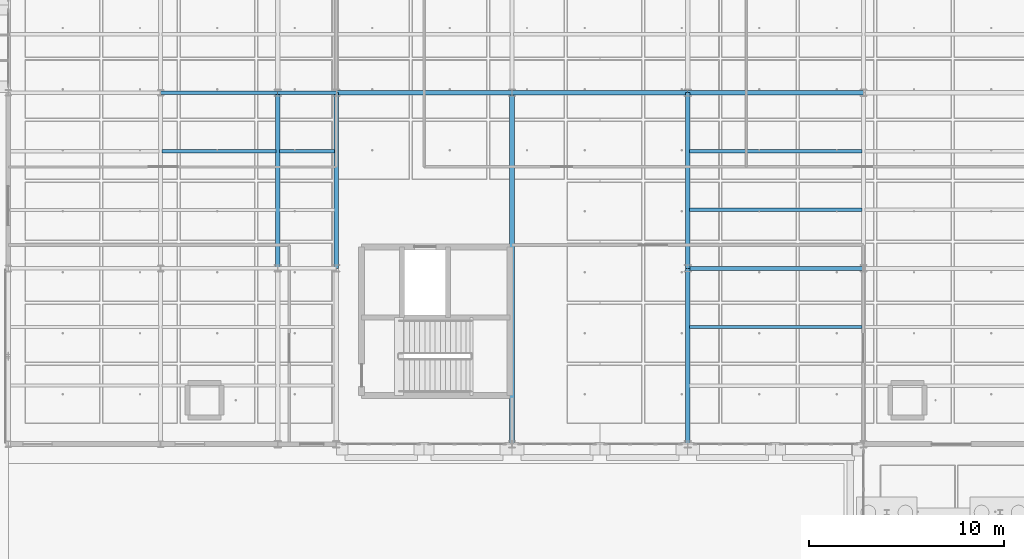
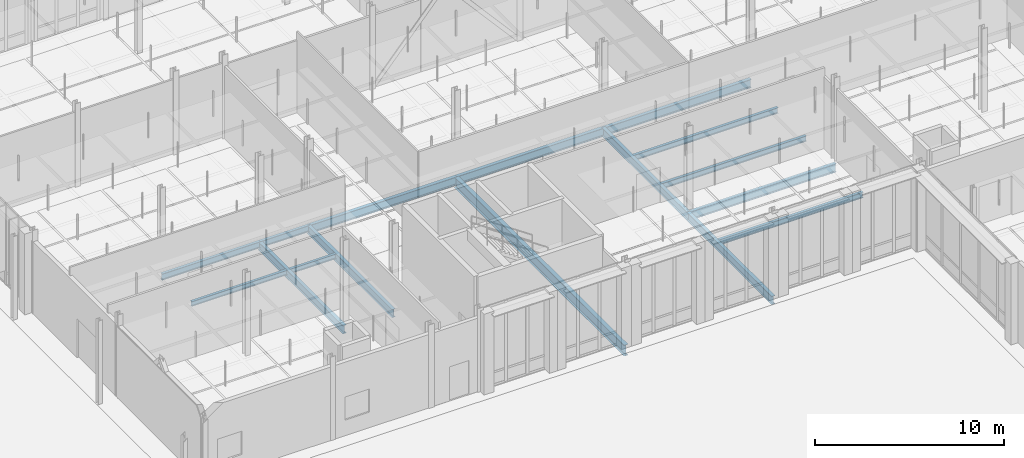
# One storey, part 56 of 180: 16 beams.
"""IFC4 building model written with IfcOpenShell, lengths in metres."""

from ifc_helpers import new_model, si_unit, direction, frame, origin, origin_2d, place, context, subcontext, project, spatial, i_section, extrude, material, material_profile, profile_set, type_object, element, save


model = new_model("IFC4")

# Units and contexts
model_context = context("Model", 3, precision=1e-05, world=origin(), true_north=direction((0.0, 1.0)))
body_context = subcontext(model_context, "Body", "Model", "MODEL_VIEW")
ifc_project = project(units=[si_unit("LENGTHUNIT", "METRE"), si_unit("AREAUNIT", "SQUARE_METRE"), si_unit("VOLUMEUNIT", "CUBIC_METRE"), si_unit("PLANEANGLEUNIT", "RADIAN"), si_unit("MASSUNIT", "GRAM", prefix="KILO"), si_unit("THERMODYNAMICTEMPERATUREUNIT", "KELVIN"), si_unit("POWERUNIT", "WATT")], contexts=[model_context])

# Site, building, storey
site_placement = place(None, origin())
site = spatial("IfcSite", under=ifc_project, at=site_placement, CompositionType="ELEMENT")
building_placement = place(site_placement, origin())
building = spatial("IfcBuilding", under=site, at=building_placement, Name="Tallowbark Science Centre", CompositionType="ELEMENT")
storey_placement = place(building_placement, origin())
storey = spatial("IfcBuildingStorey", under=building, at=storey_placement, Name="L00", CompositionType="ELEMENT", Elevation=0.0)

# Beams
ifc_material = material(Name="Structural Steel Grade 300PLUS (300 MPa)", Category="steel")
ifc_material_profile_1 = material_profile(ifc_material, i_section(OverallWidth=0.177734375, OverallDepth=0.406494140625, WebThickness=0.0078125, FlangeThickness=0.0126953125, FilletRadius=0.011474609375, at=origin_2d()), Name="410UB59.7")
ifc_profile_set_1 = profile_set([ifc_material_profile_1], Name="Structural Steel Grade 300PLUS (300 MPa)")
beam_type_1 = type_object("IfcBeamType", Name="BM-UB410", PredefinedType="BEAM", material=ifc_profile_set_1)
beam_1_placement = place(storey_placement, frame((63.0, 90.0, -0.443115234375), z_axis=(1.0, 0.0, 0.0), x_axis=(0.0, 1.0, 0.0)))
element("IfcBeam", 1, at=beam_1_placement, inside=storey, type_object=beam_type_1, Name="Primary Girder GRDX-L00-630-690-900", PredefinedType="BEAM", context=body_context, shape_type="SweptSolid", body=[
    extrude(i_section(OverallWidth=0.177734375, OverallDepth=0.406494140625, WebThickness=0.0078125, FlangeThickness=0.0126953125, FilletRadius=0.011474609375, at=origin_2d()), origin(), (0.0, 0.0, 1.0), 6.0),
])
beam_2_placement = place(storey_placement, frame((69.0, 90.0, -0.443115234375), z_axis=(1.0, 0.0, 0.0), x_axis=(0.0, 1.0, 0.0)))
element("IfcBeam", 2, at=beam_2_placement, inside=storey, type_object=beam_type_1, Name="Primary Girder GRDX-L00-690-720-900", PredefinedType="BEAM", context=body_context, shape_type="SweptSolid", body=[
    extrude(i_section(OverallWidth=0.177734375, OverallDepth=0.406494140625, WebThickness=0.0078125, FlangeThickness=0.0126953125, FilletRadius=0.011474609375, at=origin_2d()), origin(), (0.0, 0.0, 1.0), 3.0),
])
ifc_material_profile_2 = material_profile(ifc_material, i_section(OverallWidth=0.208984375, OverallDepth=0.532958984375, WebThickness=0.01025390625, FlangeThickness=0.015625, FilletRadius=0.013916015625, at=origin_2d()), Name="530UB92.4")
ifc_profile_set_2 = profile_set([ifc_material_profile_2], Name="Structural Steel Grade 300PLUS (300 MPa)")
beam_type_2 = type_object("IfcBeamType", Name="BM-UB530A", PredefinedType="BEAM", material=ifc_profile_set_2)
for number, where, z_axis, x_axis, name in (
    (3, (90.0, 81.0, -0.506591796875), (1.0, 0.0, 0.0), (0.0, 1.0, 0.0), "Primary Girder GRDX-L00-900-990-810"),
    (4, (72.0, 90.0, -0.506591796875), (1.0, 0.0, 0.0), (0.0, 1.0, 0.0), "Primary Girder GRDX-L00-720-810-900"),
    (5, (81.0, 90.0, -0.506591796875), (1.0, 0.0, 0.0), (0.0, 1.0, 0.0), "Primary Girder GRDX-L00-810-900-900"),
    (6, (90.0, 90.0, -0.506591796875), (1.0, 0.0, 0.0), (0.0, 1.0, 0.0), "Primary Girder GRDX-L00-900-990-900"),
):
    element("IfcBeam", number, at=place(storey_placement, frame(where, z_axis=z_axis, x_axis=x_axis)), inside=storey, type_object=beam_type_2, Name=name, PredefinedType="BEAM", context=body_context, shape_type="SweptSolid", body=[
        extrude(i_section(OverallWidth=0.208984375, OverallDepth=0.532958984375, WebThickness=0.01025390625, FlangeThickness=0.015625, FilletRadius=0.013916015625, at=origin_2d()), origin(), (0.0, 0.0, 1.0), 9.0),
    ])
ifc_material_profile_3 = material_profile(ifc_material, i_section(OverallWidth=0.208740234375, OverallDepth=0.5283203125, WebThickness=0.009521484375, FlangeThickness=0.01318359375, FilletRadius=0.013916015625, at=origin_2d()), Name="530UB82.0")
ifc_profile_set_3 = profile_set([ifc_material_profile_3], Name="Structural Steel Grade 300PLUS (300 MPa)")
beam_type_3 = type_object("IfcBeamType", Name="BM-UB530B", PredefinedType="BEAM", material=ifc_profile_set_3)
for number, where, z_axis, x_axis, name in (
    (7, (69.0, 81.0, -0.504150390625), (0.0, 1.0, 0.0), (-1.0, 0.0, 0.0), "Primary Girder GRDY-L00-690-810-900"),
    (8, (72.0, 81.0, -0.504150390625), (0.0, 1.0, 0.0), (-1.0, 0.0, 0.0), "Primary Girder GRDY-L00-720-810-900"),
    (9, (90.0, 72.0, -0.504150390625), (0.0, 1.0, 0.0), (-1.0, 0.0, 0.0), "Primary Girder GRDY-L00-900-720-810"),
    (10, (90.0, 81.0, -0.504150390625), (0.0, 1.0, 0.0), (-1.0, 0.0, 0.0), "Primary Girder GRDY-L00-900-810-900"),
):
    element("IfcBeam", number, at=place(storey_placement, frame(where, z_axis=z_axis, x_axis=x_axis)), inside=storey, type_object=beam_type_3, Name=name, PredefinedType="BEAM", context=body_context, shape_type="SweptSolid", body=[
        extrude(i_section(OverallWidth=0.208740234375, OverallDepth=0.5283203125, WebThickness=0.009521484375, FlangeThickness=0.01318359375, FilletRadius=0.013916015625, at=origin_2d()), origin(), (0.0, 0.0, 1.0), 9.0),
    ])
ifc_material_profile_4 = material_profile(ifc_material, i_section(OverallWidth=0.25, OverallDepth=0.699951171875, WebThickness=0.010009765625, FlangeThickness=0.02001953125, FilletRadius=0.013916015625, at=origin_2d()), Name="700WB130")
ifc_profile_set_4 = profile_set([ifc_material_profile_4], Name="Structural Steel Grade 300PLUS (300 MPa)")
beam_type_4 = type_object("IfcBeamType", Name="BM-WB700", PredefinedType="BEAM", material=ifc_profile_set_4)
beam_3_placement = place(storey_placement, frame((81.0, 72.0, -0.590087890625), z_axis=(0.0, 1.0, 0.0), x_axis=(-1.0, 0.0, 0.0)))
element("IfcBeam", 11, at=beam_3_placement, inside=storey, type_object=beam_type_4, Name="Primary Girder GRDY-L00-810-720-900", PredefinedType="BEAM", context=body_context, shape_type="SweptSolid", body=[
    extrude(i_section(OverallWidth=0.25, OverallDepth=0.699951171875, WebThickness=0.010009765625, FlangeThickness=0.02001953125, FilletRadius=0.013916015625, at=origin_2d()), origin(), (0.0, 0.0, 1.0), 18.0),
])
ifc_material_profile_5 = material_profile(ifc_material, i_section(OverallWidth=0.166015625, OverallDepth=0.30712890625, WebThickness=0.006591796875, FlangeThickness=0.01171875, FilletRadius=0.011474609375, at=origin_2d()), Name="310UB46.2")
ifc_profile_set_5 = profile_set([ifc_material_profile_5], Name="Structural Steel Grade 300PLUS (300 MPa)")
beam_type_5 = type_object("IfcBeamType", Name="JST-UB310", PredefinedType="JOIST", material=ifc_profile_set_5)
beam_4_placement = place(storey_placement, frame((63.0849609375, 87.0, -0.3935546875), z_axis=(1.0, 0.0, 0.0), x_axis=(0.0, 1.0, 0.0)))
element("IfcBeam", 12, at=beam_4_placement, inside=storey, type_object=beam_type_5, Name="Composite Floor Joist JSTX-L00-630-870", PredefinedType="JOIST", context=body_context, shape_type="SweptSolid", body=[
    extrude(i_section(OverallWidth=0.166015625, OverallDepth=0.30712890625, WebThickness=0.006591796875, FlangeThickness=0.01171875, FilletRadius=0.011474609375, at=origin_2d()), origin(), (0.0, 0.0, 1.0), 5.830078125),
])
beam_5_placement = place(storey_placement, frame((69.0849609375, 87.0, -0.3935546875), z_axis=(1.0, 0.0, 0.0), x_axis=(0.0, 1.0, 0.0)))
element("IfcBeam", 13, at=beam_5_placement, inside=storey, type_object=beam_type_5, Name="Composite Floor Joist JSTX-L00-690-870", PredefinedType="JOIST", context=body_context, shape_type="SweptSolid", body=[
    extrude(i_section(OverallWidth=0.166015625, OverallDepth=0.30712890625, WebThickness=0.006591796875, FlangeThickness=0.01171875, FilletRadius=0.011474609375, at=origin_2d()), origin(), (0.0, 0.0, 1.0), 2.830078125),
])
ifc_material_profile_6 = material_profile(ifc_material, i_section(OverallWidth=0.172119140625, OverallDepth=0.358642578125, WebThickness=0.008056640625, FlangeThickness=0.012939453125, FilletRadius=0.011474609375, at=origin_2d()), Name="360UB56.7")
ifc_profile_set_6 = profile_set([ifc_material_profile_6], Name="Structural Steel Grade 300PLUS (300 MPa)")
beam_type_6 = type_object("IfcBeamType", Name="JST-UB360", PredefinedType="JOIST", material=ifc_profile_set_6)
for number, where, z_axis, x_axis, name in (
    (14, (90.0849609375, 78.0, -0.419189453125), (1.0, 0.0, 0.0), (0.0, 1.0, 0.0), "Composite Floor Joist JSTX-L00-900-780"),
    (15, (90.0849609375, 84.0, -0.419189453125), (1.0, 0.0, 0.0), (0.0, 1.0, 0.0), "Composite Floor Joist JSTX-L00-900-840"),
    (16, (90.0849609375, 87.0, -0.419189453125), (1.0, 0.0, 0.0), (0.0, 1.0, 0.0), "Composite Floor Joist JSTX-L00-900-870"),
):
    element("IfcBeam", number, at=place(storey_placement, frame(where, z_axis=z_axis, x_axis=x_axis)), inside=storey, type_object=beam_type_6, Name=name, PredefinedType="JOIST", context=body_context, shape_type="SweptSolid", body=[
        extrude(i_section(OverallWidth=0.172119140625, OverallDepth=0.358642578125, WebThickness=0.008056640625, FlangeThickness=0.012939453125, FilletRadius=0.011474609375, at=origin_2d()), origin(), (0.0, 0.0, 1.0), 8.830078125),
    ])

save(model, "model.ifc")
